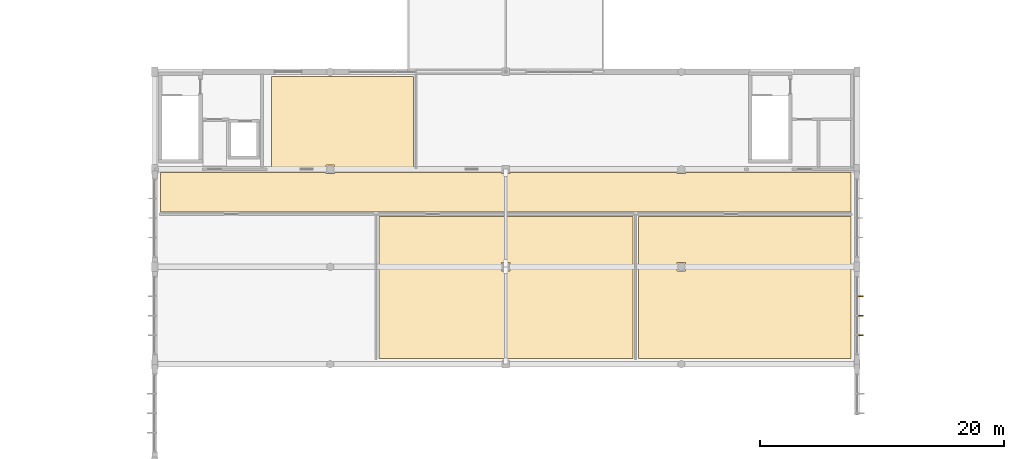
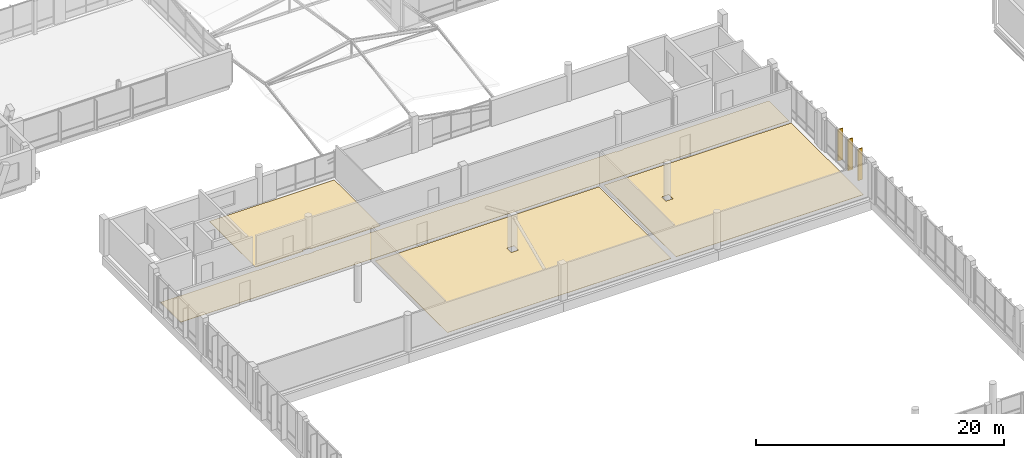
# One storey, part 181 of 189: 4 coverings, 3 shading devices.
"""IFC4 building model written with IfcOpenShell, lengths in metres."""

from ifc_helpers import new_model, si_unit, direction, frame, origin, origin_2d, place, context, subcontext, project, spatial, polyline, rectangle, outline, extrude, material, layer, layer_set, type_object, element, save


model = new_model("IFC4")

# Units and contexts
model_context = context("Model", 3, precision=1e-05, world=origin(), true_north=direction((0.0, 1.0)))
body_context = subcontext(model_context, "Body", "Model", "MODEL_VIEW")
ifc_project = project(units=[si_unit("LENGTHUNIT", "METRE"), si_unit("AREAUNIT", "SQUARE_METRE"), si_unit("VOLUMEUNIT", "CUBIC_METRE"), si_unit("PLANEANGLEUNIT", "RADIAN"), si_unit("MASSUNIT", "GRAM", prefix="KILO")], contexts=[model_context])

# Site, building, storey
site_placement = place(None, origin())
site = spatial("IfcSite", under=ifc_project, at=site_placement, CompositionType="ELEMENT")
building_placement = place(site_placement, origin())
building = spatial("IfcBuilding", under=site, at=building_placement, Name="Zavelmont Quarter", CompositionType="ELEMENT")
storey_placement = place(building_placement, frame((0.0, 0.0, 4.39990234375)))
storey = spatial("IfcBuildingStorey", under=building, at=storey_placement, Name="L01", CompositionType="ELEMENT", Elevation=4.39990234375)

# Coverings
ifc_material_1 = material(Name="Engineered European oak parquet")
ifc_layer_1 = layer(ifc_material_1, 0.02197265625)
ifc_layer_set_1 = layer_set([ifc_layer_1], Name="Engineered European oak parquet")
covering_type_1 = type_object("IfcCoveringType", Name="CV-FL01", PredefinedType="FLOORING", material=ifc_layer_set_1)
covering_1_placement = place(storey_placement, origin())
element("IfcCovering", 1, at=covering_1_placement, inside=storey, type_object=covering_type_1, Name="L01 Music and Rehearsal Studio floor finish", PredefinedType="FLOORING", context=body_context, shape_type="SweptSolid", body=[
    extrude(outline(polyline([(73.580078125, 74.1201171875), (94.419921875, 74.1201171875), (94.419921875, 62.47998046875), (73.580078125, 62.47998046875), (73.580078125, 74.1201171875)]), holes=[polyline([(84.340087890625, 70.340087890625), (83.659912109375, 70.340087890625), (83.659912109375, 69.659912109375), (84.340087890625, 69.659912109375), (84.340087890625, 70.340087890625)])]), origin(), (0.0, 0.0, 1.0), 0.022216796875),
])
ifc_material_2 = material(Name="Honed Belgian bluestone tile", Category="masonry")
ifc_layer_2 = layer(ifc_material_2, 0.030029296875)
ifc_layer_set_2 = layer_set([ifc_layer_2], Name="Honed Belgian bluestone tile")
covering_type_2 = type_object("IfcCoveringType", Name="CV-FL02", PredefinedType="FLOORING", material=ifc_layer_set_2)
covering_2_placement = place(storey_placement, origin())
element("IfcCovering", 2, at=covering_2_placement, inside=storey, type_object=covering_type_2, Name="L01 Mezzanine Gallery Corridor floor finish", PredefinedType="FLOORING", context=body_context, shape_type="SweptSolid", body=[
    extrude(outline(polyline([(55.679931640625, 77.719970703125), (69.260009765625, 77.719970703125), (69.260009765625, 77.659912109375), (69.93994140625, 77.659912109375), (69.93994140625, 77.719970703125), (83.659912109375, 77.719970703125), (83.659912109375, 77.659912109375), (84.340087890625, 77.659912109375), (84.340087890625, 77.719970703125), (98.06005859375, 77.719970703125), (98.06005859375, 77.659912109375), (98.739990234375, 77.659912109375), (98.739990234375, 77.719970703125), (112.320068359375, 77.719970703125), (112.320068359375, 74.47998046875), (55.679931640625, 74.47998046875), (55.679931640625, 77.719970703125)])), origin(), (0.0, 0.0, 1.0), 0.030029296875),
])
covering_3_placement = place(storey_placement, origin())
element("IfcCovering", 3, at=covering_3_placement, inside=storey, type_object=covering_type_2, Name="L01 Civic Reading Gallery floor finish", PredefinedType="FLOORING", context=body_context, shape_type="SweptSolid", body=[
    extrude(outline(polyline([(94.8798828125, 74.1201171875), (112.320068359375, 74.1201171875), (112.320068359375, 62.47998046875), (94.8798828125, 62.47998046875), (94.8798828125, 74.1201171875)]), holes=[polyline([(98.739990234375, 70.340087890625), (98.06005859375, 70.340087890625), (98.06005859375, 69.659912109375), (98.739990234375, 69.659912109375), (98.739990234375, 70.340087890625)])]), origin(), (0.0, 0.0, 1.0), 0.030029296875),
])
ifc_material_3 = material(Name="Slip-resistant porcelain tile")
ifc_layer_3 = layer(ifc_material_3, 0.02587890625)
ifc_layer_set_3 = layer_set([ifc_layer_3], Name="Slip-resistant porcelain tile")
covering_type_3 = type_object("IfcCoveringType", Name="CV-FL04", PredefinedType="FLOORING", material=ifc_layer_set_3)
covering_4_placement = place(storey_placement, origin())
element("IfcCovering", 4, at=covering_4_placement, inside=storey, type_object=covering_type_3, Name="L01 Mezzanine Accessible Toilet floor finish", PredefinedType="FLOORING", context=body_context, shape_type="SweptSolid", body=[
    extrude(outline(polyline([(64.780029296875, 85.6201171875), (76.419921875, 85.6201171875), (76.419921875, 78.179931640625), (69.93994140625, 78.179931640625), (69.93994140625, 78.340087890625), (69.260009765625, 78.340087890625), (69.260009765625, 78.179931640625), (64.780029296875, 78.179931640625), (64.780029296875, 85.6201171875)])), origin(), (0.0, 0.0, 1.0), 0.026123046875),
])

# Shading devices
ifc_material_4 = material(Name="Anodised aluminium EN AW-6063-T6", Category="aluminium")
shading_device_type = type_object("IfcShadingDeviceType", Name="SD02", PredefinedType="JALOUSIE", material=ifc_material_4)
for number, where, z_axis, x_axis, name in (
    (5, (113.114990234375, 64.39990234375, 0.050048828125), (0.0, 0.0, 1.0), (0.0, 1.0, 0.0), "L01 solar brise-soleil fin SD02"),
    (6, (113.114990234375, 66.0, 0.050048828125), (0.0, 0.0, 1.0), (0.0, 1.0, 0.0), "L01 solar brise-soleil fin SD02"),
    (7, (113.114990234375, 67.60009765625, 0.050048828125), (0.0, 0.0, 1.0), (0.0, 1.0, 0.0), "L01 solar brise-soleil fin SD02"),
):
    element("IfcShadingDevice", number, at=place(storey_placement, frame(where, z_axis=z_axis, x_axis=x_axis)), inside=storey, type_object=shading_device_type, Name=name, PredefinedType="JALOUSIE", context=body_context, shape_type="SweptSolid", body=[
        extrude(rectangle(XDim=0.080078125, YDim=0.449951171875, at=origin_2d()), origin(), (0.0, 0.0, 1.0), 3.10009765625),
    ])

save(model, "model.ifc")
